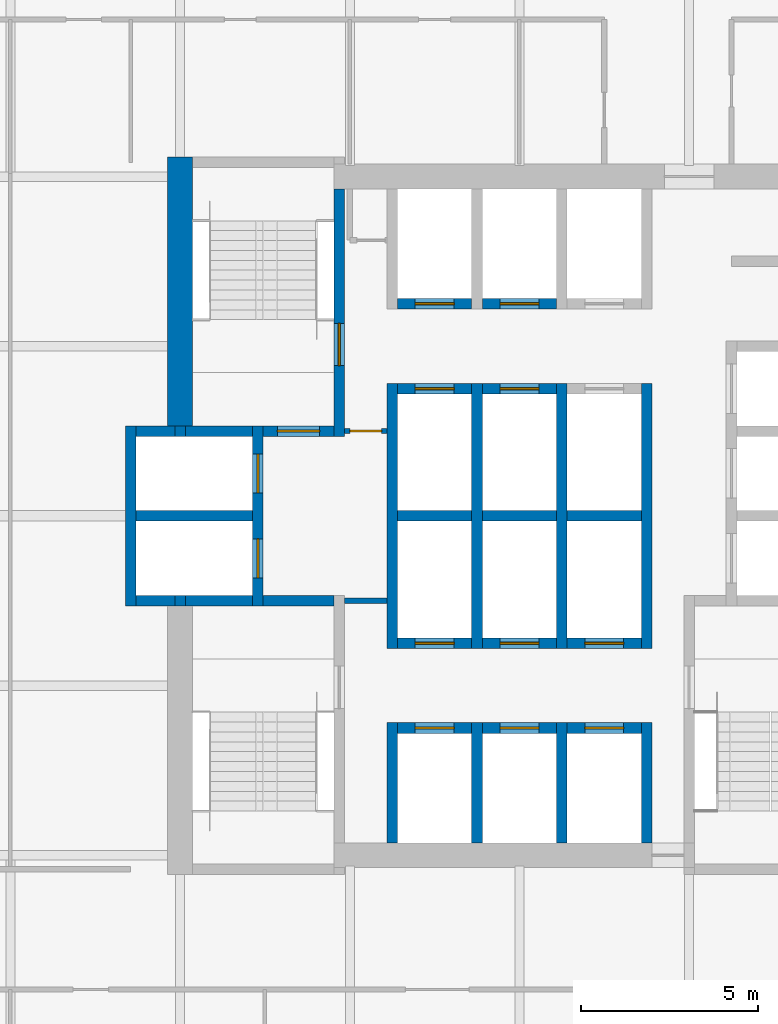
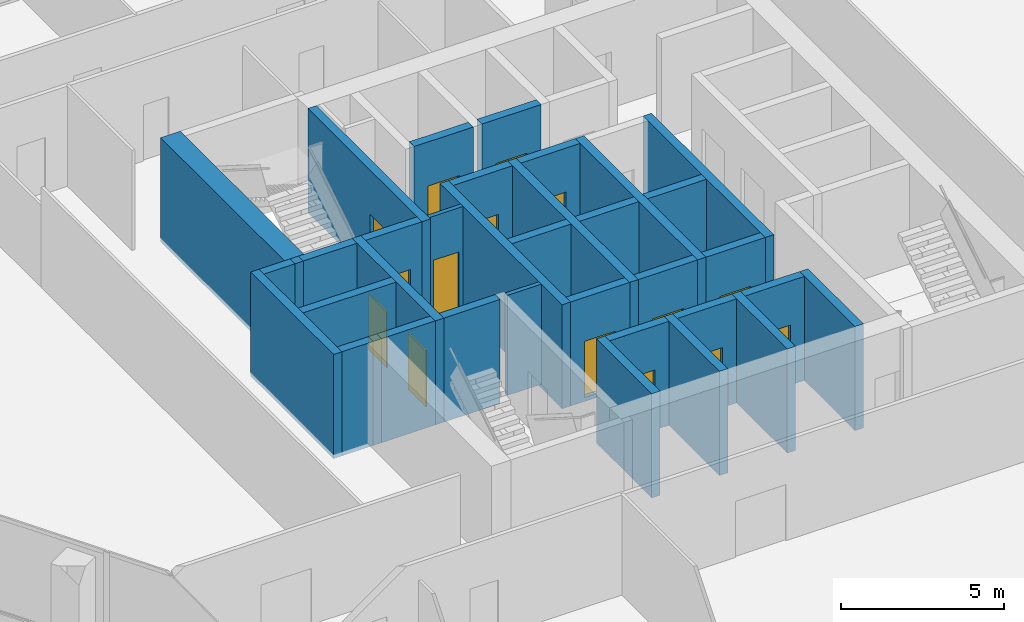
# One storey, part 10 of 16: 36 walls, 15 doors, 15 openings.
"""IFC4 building model written with IfcOpenShell, lengths in metres."""

from ifc_helpers import new_model, si_unit, direction, frame, frame_2d, origin, place, context, subcontext, project, spatial, rectangle, extrude, material, layer, layer_set, type_object, element, fill, save


model = new_model("IFC4")

# Units and contexts
model_context = context("Model", 3, precision=1e-05, world=origin(), true_north=direction((0.0, 1.0)))
body_context = subcontext(model_context, "Body", "Model", "MODEL_VIEW")
ifc_project = project(units=[si_unit("LENGTHUNIT", "METRE"), si_unit("AREAUNIT", "SQUARE_METRE"), si_unit("VOLUMEUNIT", "CUBIC_METRE"), si_unit("PLANEANGLEUNIT", "RADIAN"), si_unit("MASSUNIT", "GRAM", prefix="KILO")], contexts=[model_context])

# Site, building, storey
site_placement = place(None, origin())
site = spatial("IfcSite", under=ifc_project, at=site_placement, CompositionType="ELEMENT")
building_placement = place(site_placement, origin())
building = spatial("IfcBuilding", under=site, at=building_placement, Name="Kolab Exchange Tower", CompositionType="ELEMENT")
storey_placement = place(building_placement, frame((0.0, 0.0, 162.199951171875)))
storey = spatial("IfcBuildingStorey", under=building, at=storey_placement, Name="L33", CompositionType="ELEMENT", Elevation=162.199951171875)

# Wall
ifc_material_1 = material(Name="Concrete C60/75", Category="concrete")
ifc_layer_1 = layer(ifc_material_1, 0.699951171875)
ifc_layer_set_1 = layer_set([ifc_layer_1], Name="Concrete C60/75")
wall_type_1 = type_object("IfcWallType", Name="CORE WALL 700 C60/75", PredefinedType="SHEAR", material=ifc_layer_set_1)
wall_1_placement = place(storey_placement, frame((-9.60009765625, 2.550048828125, -0.14990234375), z_axis=(0.0, 0.0, 1.0), x_axis=(0.0, 1.0, 0.0)))
element("IfcWall", 1, at=wall_1_placement, inside=storey, type_object=wall_type_1, Name="wall/L33/core/037", PredefinedType="SHEAR", context=body_context, shape_type="SweptSolid", body=[
    extrude(rectangle(XDim=7.599853515625, YDim=0.699951171875, at=frame_2d((3.7998046875, 0.0))), origin(), (0.0, 0.0, 1.0), 3.89990234375),
])

# Wall, opening, door
ifc_material_2 = material(Name="Concrete C50/60", Category="concrete")
ifc_layer_2 = layer(ifc_material_2, 0.300048828125)
ifc_layer_set_2 = layer_set([ifc_layer_2], Name="Concrete C50/60")
wall_type_2 = type_object("IfcWallType", Name="LIFT SHAFT WALL 300 C50/60", PredefinedType="STANDARD", material=ifc_layer_set_2)
wall_2_placement = place(storey_placement, frame((-3.449951171875, -6.0, -0.14990234375), z_axis=(0.0, 0.0, 1.0), x_axis=(1.0, 0.0, 0.0)))
wall_2 = element("IfcWall", 2, at=wall_2_placement, inside=storey, type_object=wall_type_2, Name="wall/L33/core/003", PredefinedType="STANDARD", context=body_context, shape_type="SweptSolid", body=[
    extrude(rectangle(XDim=2.099853515625, YDim=0.300048828125, at=frame_2d((1.0498046875, 0.0))), origin(), (0.0, 0.0, 1.0), 3.89990234375),
])
opening_1_placement = place(wall_2_placement, frame((0.5, 0.0, 0.14990234375)))
opening_1 = element("IfcOpeningElement", 3, at=opening_1_placement, cuts=wall_2, Name="Opening LD1-110", PredefinedType="OPENING", context=body_context, shape_type="SweptSolid", body=[
    extrude(rectangle(XDim=1.10009765625, YDim=2.10009765625, at=frame_2d((0.550048828125, 1.050048828125))), frame((0.0, 0.16015625, 0.0), z_axis=(0.0, -1.0, 0.0), x_axis=(1.0, 0.0, 0.0)), (0.0, 0.0, 1.0), 0.320068359375),
])
ifc_material_3 = material(Name="Stainless steel 316", Category="steel")
door_type_1 = type_object("IfcDoorType", Name="LANDING DOOR 1100 PASSENGER", OperationType="DOUBLE_DOOR_SLIDING", PredefinedType="DOOR", material=ifc_material_3)
door_1_placement = place(opening_1_placement, origin())
door_1 = element("IfcDoor", 4, at=door_1_placement, inside=storey, type_object=door_type_1, Name="Landing door HR10", OperationType="DOUBLE_DOOR_SLIDING", OverallHeight=2.10009765625, OverallWidth=1.10009765625, PredefinedType="DOOR", context=body_context, shape_type="SweptSolid", body=[
    extrude(rectangle(XDim=1.10009765625, YDim=2.10009765625, at=frame_2d((0.550048828125, 1.050048828125))), frame((0.0, 0.02490234375, 0.0), z_axis=(0.0, -1.0, 0.0), x_axis=(1.0, 0.0, 0.0)), (0.0, 0.0, 1.0), 0.050048828125),
])
fill(opening_1, door_1)

wall_3_placement = place(storey_placement, frame((-1.050048828125, -6.0, -0.14990234375), z_axis=(0.0, 0.0, 1.0), x_axis=(1.0, 0.0, 0.0)))
wall_3 = element("IfcWall", 5, at=wall_3_placement, inside=storey, type_object=wall_type_2, Name="wall/L33/core/004", PredefinedType="STANDARD", context=body_context, shape_type="SweptSolid", body=[
    extrude(rectangle(XDim=2.10009765625, YDim=0.300048828125, at=frame_2d((1.050048828125, 0.0))), origin(), (0.0, 0.0, 1.0), 3.89990234375),
])
opening_2_placement = place(wall_3_placement, frame((0.5, 0.0, 0.14990234375)))
opening_2 = element("IfcOpeningElement", 6, at=opening_2_placement, cuts=wall_3, Name="Opening LD1-111", PredefinedType="OPENING", context=body_context, shape_type="SweptSolid", body=[
    extrude(rectangle(XDim=1.10009765625, YDim=2.10009765625, at=frame_2d((0.550048828125, 1.050048828125))), frame((0.0, 0.16015625, 0.0), z_axis=(0.0, -1.0, 0.0), x_axis=(1.0, 0.0, 0.0)), (0.0, 0.0, 1.0), 0.320068359375),
])
door_2_placement = place(opening_2_placement, origin())
door_2 = element("IfcDoor", 7, at=door_2_placement, inside=storey, type_object=door_type_1, Name="Landing door HR11", OperationType="DOUBLE_DOOR_SLIDING", OverallHeight=2.10009765625, OverallWidth=1.10009765625, PredefinedType="DOOR", context=body_context, shape_type="SweptSolid", body=[
    extrude(rectangle(XDim=1.10009765625, YDim=2.10009765625, at=frame_2d((0.550048828125, 1.050048828125))), frame((0.0, 0.02490234375, 0.0), z_axis=(0.0, -1.0, 0.0), x_axis=(1.0, 0.0, 0.0)), (0.0, 0.0, 1.0), 0.050048828125),
])
fill(opening_2, door_2)

wall_4_placement = place(storey_placement, frame((1.35009765625, -6.0, -0.14990234375), z_axis=(0.0, 0.0, 1.0), x_axis=(1.0, 0.0, 0.0)))
wall_4 = element("IfcWall", 8, at=wall_4_placement, inside=storey, type_object=wall_type_2, Name="wall/L33/core/005", PredefinedType="STANDARD", context=body_context, shape_type="SweptSolid", body=[
    extrude(rectangle(XDim=2.099853515625, YDim=0.300048828125, at=frame_2d((1.0498046875, 0.0))), origin(), (0.0, 0.0, 1.0), 3.89990234375),
])
opening_3_placement = place(wall_4_placement, frame((0.5, 0.0, 0.14990234375)))
opening_3 = element("IfcOpeningElement", 9, at=opening_3_placement, cuts=wall_4, Name="Opening LD1-112", PredefinedType="OPENING", context=body_context, shape_type="SweptSolid", body=[
    extrude(rectangle(XDim=1.10009765625, YDim=2.10009765625, at=frame_2d((0.550048828125, 1.050048828125))), frame((0.0, 0.16015625, 0.0), z_axis=(0.0, -1.0, 0.0), x_axis=(1.0, 0.0, 0.0)), (0.0, 0.0, 1.0), 0.320068359375),
])
door_3_placement = place(opening_3_placement, origin())
door_3 = element("IfcDoor", 10, at=door_3_placement, inside=storey, type_object=door_type_1, Name="Landing door HR12", OperationType="DOUBLE_DOOR_SLIDING", OverallHeight=2.10009765625, OverallWidth=1.10009765625, PredefinedType="DOOR", context=body_context, shape_type="SweptSolid", body=[
    extrude(rectangle(XDim=1.10009765625, YDim=2.10009765625, at=frame_2d((0.550048828125, 1.050048828125))), frame((0.0, 0.02490234375, 0.0), z_axis=(0.0, -1.0, 0.0), x_axis=(1.0, 0.0, 0.0)), (0.0, 0.0, 1.0), 0.050048828125),
])
fill(opening_3, door_3)

wall_5_placement = place(storey_placement, frame((-3.449951171875, -3.60009765625, -0.14990234375), z_axis=(0.0, 0.0, 1.0), x_axis=(1.0, 0.0, 0.0)))
wall_5 = element("IfcWall", 11, at=wall_5_placement, inside=storey, type_object=wall_type_2, Name="wall/L33/core/006", PredefinedType="STANDARD", context=body_context, shape_type="SweptSolid", body=[
    extrude(rectangle(XDim=2.099853515625, YDim=0.300048828125, at=frame_2d((1.0498046875, 0.0))), origin(), (0.0, 0.0, 1.0), 3.89990234375),
])
opening_4_placement = place(wall_5_placement, frame((0.5, 0.0, 0.14990234375)))
opening_4 = element("IfcOpeningElement", 12, at=opening_4_placement, cuts=wall_5, Name="Opening LD1-118", PredefinedType="OPENING", context=body_context, shape_type="SweptSolid", body=[
    extrude(rectangle(XDim=1.10009765625, YDim=2.10009765625, at=frame_2d((0.550048828125, 1.050048828125))), frame((0.0, 0.16015625, 0.0), z_axis=(0.0, -1.0, 0.0), x_axis=(1.0, 0.0, 0.0)), (0.0, 0.0, 1.0), 0.320068359375),
])
door_4_placement = place(opening_4_placement, origin())
door_4 = element("IfcDoor", 13, at=door_4_placement, inside=storey, type_object=door_type_1, Name="Landing door HR7", OperationType="DOUBLE_DOOR_SLIDING", OverallHeight=2.10009765625, OverallWidth=1.10009765625, PredefinedType="DOOR", context=body_context, shape_type="SweptSolid", body=[
    extrude(rectangle(XDim=1.10009765625, YDim=2.10009765625, at=frame_2d((0.550048828125, 1.050048828125))), frame((0.0, 0.02490234375, 0.0), z_axis=(0.0, -1.0, 0.0), x_axis=(1.0, 0.0, 0.0)), (0.0, 0.0, 1.0), 0.050048828125),
])
fill(opening_4, door_4)

wall_6_placement = place(storey_placement, frame((-1.050048828125, -3.60009765625, -0.14990234375), z_axis=(0.0, 0.0, 1.0), x_axis=(1.0, 0.0, 0.0)))
wall_6 = element("IfcWall", 14, at=wall_6_placement, inside=storey, type_object=wall_type_2, Name="wall/L33/core/007", PredefinedType="STANDARD", context=body_context, shape_type="SweptSolid", body=[
    extrude(rectangle(XDim=2.10009765625, YDim=0.300048828125, at=frame_2d((1.050048828125, 0.0))), origin(), (0.0, 0.0, 1.0), 3.89990234375),
])
opening_5_placement = place(wall_6_placement, frame((0.5, 0.0, 0.14990234375)))
opening_5 = element("IfcOpeningElement", 15, at=opening_5_placement, cuts=wall_6, Name="Opening LD1-119", PredefinedType="OPENING", context=body_context, shape_type="SweptSolid", body=[
    extrude(rectangle(XDim=1.10009765625, YDim=2.10009765625, at=frame_2d((0.550048828125, 1.050048828125))), frame((0.0, 0.16015625, 0.0), z_axis=(0.0, -1.0, 0.0), x_axis=(1.0, 0.0, 0.0)), (0.0, 0.0, 1.0), 0.320068359375),
])
door_5_placement = place(opening_5_placement, origin())
door_5 = element("IfcDoor", 16, at=door_5_placement, inside=storey, type_object=door_type_1, Name="Landing door HR8", OperationType="DOUBLE_DOOR_SLIDING", OverallHeight=2.10009765625, OverallWidth=1.10009765625, PredefinedType="DOOR", context=body_context, shape_type="SweptSolid", body=[
    extrude(rectangle(XDim=1.10009765625, YDim=2.10009765625, at=frame_2d((0.550048828125, 1.050048828125))), frame((0.0, 0.02490234375, 0.0), z_axis=(0.0, -1.0, 0.0), x_axis=(1.0, 0.0, 0.0)), (0.0, 0.0, 1.0), 0.050048828125),
])
fill(opening_5, door_5)

wall_7_placement = place(storey_placement, frame((1.35009765625, -3.60009765625, -0.14990234375), z_axis=(0.0, 0.0, 1.0), x_axis=(1.0, 0.0, 0.0)))
wall_7 = element("IfcWall", 17, at=wall_7_placement, inside=storey, type_object=wall_type_2, Name="wall/L33/core/008", PredefinedType="STANDARD", context=body_context, shape_type="SweptSolid", body=[
    extrude(rectangle(XDim=2.099853515625, YDim=0.300048828125, at=frame_2d((1.0498046875, 0.0))), origin(), (0.0, 0.0, 1.0), 3.89990234375),
])
opening_6_placement = place(wall_7_placement, frame((0.5, 0.0, 0.14990234375)))
opening_6 = element("IfcOpeningElement", 18, at=opening_6_placement, cuts=wall_7, Name="Opening LD1-120", PredefinedType="OPENING", context=body_context, shape_type="SweptSolid", body=[
    extrude(rectangle(XDim=1.10009765625, YDim=2.10009765625, at=frame_2d((0.550048828125, 1.050048828125))), frame((0.0, 0.16015625, 0.0), z_axis=(0.0, -1.0, 0.0), x_axis=(1.0, 0.0, 0.0)), (0.0, 0.0, 1.0), 0.320068359375),
])
door_6_placement = place(opening_6_placement, origin())
door_6 = element("IfcDoor", 19, at=door_6_placement, inside=storey, type_object=door_type_1, Name="Landing door HR9", OperationType="DOUBLE_DOOR_SLIDING", OverallHeight=2.10009765625, OverallWidth=1.10009765625, PredefinedType="DOOR", context=body_context, shape_type="SweptSolid", body=[
    extrude(rectangle(XDim=1.10009765625, YDim=2.10009765625, at=frame_2d((0.550048828125, 1.050048828125))), frame((0.0, 0.02490234375, 0.0), z_axis=(0.0, -1.0, 0.0), x_axis=(1.0, 0.0, 0.0)), (0.0, 0.0, 1.0), 0.050048828125),
])
fill(opening_6, door_6)

# Walls
wall_8_placement = place(storey_placement, frame((-10.85009765625, -2.39990234375, -0.14990234375), z_axis=(0.0, 0.0, 1.0), x_axis=(1.0, 0.0, 0.0)))
element("IfcWall", 20, at=wall_8_placement, inside=storey, type_object=wall_type_2, Name="wall/L33/core/009", PredefinedType="STANDARD", context=body_context, shape_type="SweptSolid", body=[
    extrude(rectangle(XDim=1.10009765625, YDim=0.300048828125, at=frame_2d((0.550048828125, 0.0))), origin(), (0.0, 0.0, 1.0), 3.89990234375),
])
wall_9_placement = place(storey_placement, frame((-10.85009765625, 0.0, -0.14990234375), z_axis=(0.0, 0.0, 1.0), x_axis=(1.0, 0.0, 0.0)))
element("IfcWall", 21, at=wall_9_placement, inside=storey, type_object=wall_type_2, Name="wall/L33/core/014", PredefinedType="STANDARD", context=body_context, shape_type="SweptSolid", body=[
    extrude(rectangle(XDim=3.300048828125, YDim=0.300048828125, at=frame_2d((1.64990234375, 0.0))), origin(), (0.0, 0.0, 1.0), 3.89990234375),
])
wall_10_placement = place(storey_placement, frame((-3.449951171875, 0.0, -0.14990234375), z_axis=(0.0, 0.0, 1.0), x_axis=(1.0, 0.0, 0.0)))
element("IfcWall", 22, at=wall_10_placement, inside=storey, type_object=wall_type_2, Name="wall/L33/core/015", PredefinedType="STANDARD", context=body_context, shape_type="SweptSolid", body=[
    extrude(rectangle(XDim=2.099853515625, YDim=0.300048828125, at=frame_2d((1.0498046875, 0.0))), origin(), (0.0, 0.0, 1.0), 3.89990234375),
])
wall_11_placement = place(storey_placement, frame((-1.050048828125, 0.0, -0.14990234375), z_axis=(0.0, 0.0, 1.0), x_axis=(1.0, 0.0, 0.0)))
element("IfcWall", 23, at=wall_11_placement, inside=storey, type_object=wall_type_2, Name="wall/L33/core/016", PredefinedType="STANDARD", context=body_context, shape_type="SweptSolid", body=[
    extrude(rectangle(XDim=2.10009765625, YDim=0.300048828125, at=frame_2d((1.050048828125, 0.0))), origin(), (0.0, 0.0, 1.0), 3.89990234375),
])
wall_12_placement = place(storey_placement, frame((1.35009765625, 0.0, -0.14990234375), z_axis=(0.0, 0.0, 1.0), x_axis=(1.0, 0.0, 0.0)))
element("IfcWall", 24, at=wall_12_placement, inside=storey, type_object=wall_type_2, Name="wall/L33/core/017", PredefinedType="STANDARD", context=body_context, shape_type="SweptSolid", body=[
    extrude(rectangle(XDim=2.099853515625, YDim=0.300048828125, at=frame_2d((1.0498046875, 0.0))), origin(), (0.0, 0.0, 1.0), 3.89990234375),
])
wall_13_placement = place(storey_placement, frame((-10.85009765625, 2.39990234375, -0.14990234375), z_axis=(0.0, 0.0, 1.0), x_axis=(1.0, 0.0, 0.0)))
element("IfcWall", 25, at=wall_13_placement, inside=storey, type_object=wall_type_2, Name="wall/L33/core/019", PredefinedType="STANDARD", context=body_context, shape_type="SweptSolid", body=[
    extrude(rectangle(XDim=1.10009765625, YDim=0.300048828125, at=frame_2d((0.550048828125, 0.0))), origin(), (0.0, 0.0, 1.0), 3.89990234375),
])

# Wall, opening, door
wall_14_placement = place(storey_placement, frame((-3.449951171875, 3.60009765625, -0.14990234375), z_axis=(0.0, 0.0, 1.0), x_axis=(1.0, 0.0, 0.0)))
wall_14 = element("IfcWall", 26, at=wall_14_placement, inside=storey, type_object=wall_type_2, Name="wall/L33/core/023", PredefinedType="STANDARD", context=body_context, shape_type="SweptSolid", body=[
    extrude(rectangle(XDim=2.099853515625, YDim=0.300048828125, at=frame_2d((1.0498046875, 0.0))), origin(), (0.0, 0.0, 1.0), 3.89990234375),
])
opening_7_placement = place(wall_14_placement, frame((0.5, 0.0, 0.14990234375)))
opening_7 = element("IfcOpeningElement", 27, at=opening_7_placement, cuts=wall_14, Name="Opening LD1-115", PredefinedType="OPENING", context=body_context, shape_type="SweptSolid", body=[
    extrude(rectangle(XDim=1.10009765625, YDim=2.10009765625, at=frame_2d((0.550048828125, 1.050048828125))), frame((0.0, 0.16015625, 0.0), z_axis=(0.0, -1.0, 0.0), x_axis=(1.0, 0.0, 0.0)), (0.0, 0.0, 1.0), 0.320068359375),
])
door_7_placement = place(opening_7_placement, origin())
door_7 = element("IfcDoor", 28, at=door_7_placement, inside=storey, type_object=door_type_1, Name="Landing door HR4", OperationType="DOUBLE_DOOR_SLIDING", OverallHeight=2.10009765625, OverallWidth=1.10009765625, PredefinedType="DOOR", context=body_context, shape_type="SweptSolid", body=[
    extrude(rectangle(XDim=1.10009765625, YDim=2.10009765625, at=frame_2d((0.550048828125, 1.050048828125))), frame((0.0, 0.02490234375, 0.0), z_axis=(0.0, -1.0, 0.0), x_axis=(1.0, 0.0, 0.0)), (0.0, 0.0, 1.0), 0.050048828125),
])
fill(opening_7, door_7)

wall_15_placement = place(storey_placement, frame((-1.050048828125, 3.60009765625, -0.14990234375), z_axis=(0.0, 0.0, 1.0), x_axis=(1.0, 0.0, 0.0)))
wall_15 = element("IfcWall", 29, at=wall_15_placement, inside=storey, type_object=wall_type_2, Name="wall/L33/core/024", PredefinedType="STANDARD", context=body_context, shape_type="SweptSolid", body=[
    extrude(rectangle(XDim=2.10009765625, YDim=0.300048828125, at=frame_2d((1.050048828125, 0.0))), origin(), (0.0, 0.0, 1.0), 3.89990234375),
])
opening_8_placement = place(wall_15_placement, frame((0.5, 0.0, 0.14990234375)))
opening_8 = element("IfcOpeningElement", 30, at=opening_8_placement, cuts=wall_15, Name="Opening LD1-116", PredefinedType="OPENING", context=body_context, shape_type="SweptSolid", body=[
    extrude(rectangle(XDim=1.10009765625, YDim=2.10009765625, at=frame_2d((0.550048828125, 1.050048828125))), frame((0.0, 0.16015625, 0.0), z_axis=(0.0, -1.0, 0.0), x_axis=(1.0, 0.0, 0.0)), (0.0, 0.0, 1.0), 0.320068359375),
])
door_8_placement = place(opening_8_placement, origin())
door_8 = element("IfcDoor", 31, at=door_8_placement, inside=storey, type_object=door_type_1, Name="Landing door HR5", OperationType="DOUBLE_DOOR_SLIDING", OverallHeight=2.10009765625, OverallWidth=1.10009765625, PredefinedType="DOOR", context=body_context, shape_type="SweptSolid", body=[
    extrude(rectangle(XDim=1.10009765625, YDim=2.10009765625, at=frame_2d((0.550048828125, 1.050048828125))), frame((0.0, 0.02490234375, 0.0), z_axis=(0.0, -1.0, 0.0), x_axis=(1.0, 0.0, 0.0)), (0.0, 0.0, 1.0), 0.050048828125),
])
fill(opening_8, door_8)

wall_16_placement = place(storey_placement, frame((-3.449951171875, 6.0, -0.14990234375), z_axis=(0.0, 0.0, 1.0), x_axis=(1.0, 0.0, 0.0)))
wall_16 = element("IfcWall", 32, at=wall_16_placement, inside=storey, type_object=wall_type_2, Name="wall/L33/core/027", PredefinedType="STANDARD", context=body_context, shape_type="SweptSolid", body=[
    extrude(rectangle(XDim=2.099853515625, YDim=0.300048828125, at=frame_2d((1.0498046875, 0.0))), origin(), (0.0, 0.0, 1.0), 3.89990234375),
])
opening_9_placement = place(wall_16_placement, frame((0.5, 0.0, 0.14990234375)))
opening_9 = element("IfcOpeningElement", 33, at=opening_9_placement, cuts=wall_16, Name="Opening LD1-109", PredefinedType="OPENING", context=body_context, shape_type="SweptSolid", body=[
    extrude(rectangle(XDim=1.10009765625, YDim=2.10009765625, at=frame_2d((0.550048828125, 1.050048828125))), frame((0.0, 0.16015625, 0.0), z_axis=(0.0, -1.0, 0.0), x_axis=(1.0, 0.0, 0.0)), (0.0, 0.0, 1.0), 0.320068359375),
])
door_9_placement = place(opening_9_placement, origin())
door_9 = element("IfcDoor", 34, at=door_9_placement, inside=storey, type_object=door_type_1, Name="Landing door HR1", OperationType="DOUBLE_DOOR_SLIDING", OverallHeight=2.10009765625, OverallWidth=1.10009765625, PredefinedType="DOOR", context=body_context, shape_type="SweptSolid", body=[
    extrude(rectangle(XDim=1.10009765625, YDim=2.10009765625, at=frame_2d((0.550048828125, 1.050048828125))), frame((0.0, 0.02490234375, 0.0), z_axis=(0.0, -1.0, 0.0), x_axis=(1.0, 0.0, 0.0)), (0.0, 0.0, 1.0), 0.050048828125),
])
fill(opening_9, door_9)

wall_17_placement = place(storey_placement, frame((-1.050048828125, 6.0, -0.14990234375), z_axis=(0.0, 0.0, 1.0), x_axis=(1.0, 0.0, 0.0)))
wall_17 = element("IfcWall", 35, at=wall_17_placement, inside=storey, type_object=wall_type_2, Name="wall/L33/core/028", PredefinedType="STANDARD", context=body_context, shape_type="SweptSolid", body=[
    extrude(rectangle(XDim=2.10009765625, YDim=0.300048828125, at=frame_2d((1.050048828125, 0.0))), origin(), (0.0, 0.0, 1.0), 3.89990234375),
])
opening_10_placement = place(wall_17_placement, frame((0.5, 0.0, 0.14990234375)))
opening_10 = element("IfcOpeningElement", 36, at=opening_10_placement, cuts=wall_17, Name="Opening LD1-113", PredefinedType="OPENING", context=body_context, shape_type="SweptSolid", body=[
    extrude(rectangle(XDim=1.10009765625, YDim=2.10009765625, at=frame_2d((0.550048828125, 1.050048828125))), frame((0.0, 0.16015625, 0.0), z_axis=(0.0, -1.0, 0.0), x_axis=(1.0, 0.0, 0.0)), (0.0, 0.0, 1.0), 0.320068359375),
])
door_10_placement = place(opening_10_placement, origin())
door_10 = element("IfcDoor", 37, at=door_10_placement, inside=storey, type_object=door_type_1, Name="Landing door HR2", OperationType="DOUBLE_DOOR_SLIDING", OverallHeight=2.10009765625, OverallWidth=1.10009765625, PredefinedType="DOOR", context=body_context, shape_type="SweptSolid", body=[
    extrude(rectangle(XDim=1.10009765625, YDim=2.10009765625, at=frame_2d((0.550048828125, 1.050048828125))), frame((0.0, 0.02490234375, 0.0), z_axis=(0.0, -1.0, 0.0), x_axis=(1.0, 0.0, 0.0)), (0.0, 0.0, 1.0), 0.050048828125),
])
fill(opening_10, door_10)

# Wall
wall_18_placement = place(storey_placement, frame((-11.0, -2.550048828125, -0.14990234375), z_axis=(0.0, 0.0, 1.0), x_axis=(0.0, 1.0, 0.0)))
element("IfcWall", 38, at=wall_18_placement, inside=storey, type_object=wall_type_2, Name="wall/L33/core/033", PredefinedType="STANDARD", context=body_context, shape_type="SweptSolid", body=[
    extrude(rectangle(XDim=5.10009765625, YDim=0.300048828125, at=frame_2d((2.550048828125, 0.0))), origin(), (0.0, 0.0, 1.0), 3.89990234375),
])

# Wall, openings, doors
wall_19_placement = place(storey_placement, frame((-7.39990234375, -2.550048828125, -0.14990234375), z_axis=(0.0, 0.0, 1.0), x_axis=(0.0, 1.0, 0.0)))
wall_19 = element("IfcWall", 39, at=wall_19_placement, inside=storey, type_object=wall_type_2, Name="wall/L33/core/038", PredefinedType="STANDARD", context=body_context, shape_type="SweptSolid", body=[
    extrude(rectangle(XDim=5.10009765625, YDim=0.300048828125, at=frame_2d((2.550048828125, 0.0))), origin(), (0.0, 0.0, 1.0), 3.89990234375),
])
opening_11_placement = place(wall_19_placement, frame((0.800048828125, 0.0, 0.14990234375)))
opening_11 = element("IfcOpeningElement", 40, at=opening_11_placement, cuts=wall_19, Name="Opening LD2-025", PredefinedType="OPENING", context=body_context, shape_type="SweptSolid", body=[
    extrude(rectangle(XDim=1.10009765625, YDim=2.10009765625, at=frame_2d((0.550048828125, 1.050048828125))), frame((0.0, 0.16015625, 0.0), z_axis=(0.0, -1.0, 0.0), x_axis=(1.0, 0.0, 0.0)), (0.0, 0.0, 1.0), 0.320068359375),
])
opening_12_placement = place(wall_19_placement, frame((3.199951171875, 0.0, 0.14990234375)))
opening_12 = element("IfcOpeningElement", 41, at=opening_12_placement, cuts=wall_19, Name="Opening LD2-026", PredefinedType="OPENING", context=body_context, shape_type="SweptSolid", body=[
    extrude(rectangle(XDim=1.10009765625, YDim=2.10009765625, at=frame_2d((0.550048828125, 1.050048828125))), frame((0.0, 0.16015625, 0.0), z_axis=(0.0, -1.0, 0.0), x_axis=(1.0, 0.0, 0.0)), (0.0, 0.0, 1.0), 0.320068359375),
])
door_type_2 = type_object("IfcDoorType", Name="LANDING DOOR 1100 FIREFIGHTING", OperationType="DOUBLE_DOOR_SLIDING", PredefinedType="DOOR", material=ifc_material_3)
door_11_placement = place(opening_11_placement, origin())
door_11 = element("IfcDoor", 42, at=door_11_placement, inside=storey, type_object=door_type_2, Name="Landing door FF1", OperationType="DOUBLE_DOOR_SLIDING", OverallHeight=2.10009765625, OverallWidth=1.10009765625, PredefinedType="DOOR", context=body_context, shape_type="SweptSolid", body=[
    extrude(rectangle(XDim=1.10009765625, YDim=2.10009765625, at=frame_2d((0.550048828125, 1.050048828125))), frame((0.0, 0.02490234375, 0.0), z_axis=(0.0, -1.0, 0.0), x_axis=(1.0, 0.0, 0.0)), (0.0, 0.0, 1.0), 0.050048828125),
])
fill(opening_11, door_11)
door_12_placement = place(opening_12_placement, origin())
door_12 = element("IfcDoor", 43, at=door_12_placement, inside=storey, type_object=door_type_2, Name="Landing door FF2", OperationType="DOUBLE_DOOR_SLIDING", OverallHeight=2.10009765625, OverallWidth=1.10009765625, PredefinedType="DOOR", context=body_context, shape_type="SweptSolid", body=[
    extrude(rectangle(XDim=1.10009765625, YDim=2.10009765625, at=frame_2d((0.550048828125, 1.050048828125))), frame((0.0, 0.02490234375, 0.0), z_axis=(0.0, -1.0, 0.0), x_axis=(1.0, 0.0, 0.0)), (0.0, 0.0, 1.0), 0.050048828125),
])
fill(opening_12, door_12)

# Walls
wall_20_placement = place(storey_placement, frame((-3.60009765625, -9.25, -0.14990234375), z_axis=(0.0, 0.0, 1.0), x_axis=(0.0, 1.0, 0.0)))
element("IfcWall", 44, at=wall_20_placement, inside=storey, type_object=wall_type_2, Name="wall/L33/core/043", PredefinedType="STANDARD", context=body_context, shape_type="SweptSolid", body=[
    extrude(rectangle(XDim=3.39990234375, YDim=0.300048828125, at=frame_2d((1.699951171875, 0.0))), origin(), (0.0, 0.0, 1.0), 3.89990234375),
])
wall_21_placement = place(storey_placement, frame((-3.60009765625, -3.75, -0.14990234375), z_axis=(0.0, 0.0, 1.0), x_axis=(0.0, 1.0, 0.0)))
element("IfcWall", 45, at=wall_21_placement, inside=storey, type_object=wall_type_2, Name="wall/L33/core/044", PredefinedType="STANDARD", context=body_context, shape_type="SweptSolid", body=[
    extrude(rectangle(XDim=7.5, YDim=0.300048828125, at=frame_2d((3.75, 0.0))), origin(), (0.0, 0.0, 1.0), 3.89990234375),
])
wall_22_placement = place(storey_placement, frame((-1.199951171875, -9.25, -0.14990234375), z_axis=(0.0, 0.0, 1.0), x_axis=(0.0, 1.0, 0.0)))
element("IfcWall", 46, at=wall_22_placement, inside=storey, type_object=wall_type_2, Name="wall/L33/core/046", PredefinedType="STANDARD", context=body_context, shape_type="SweptSolid", body=[
    extrude(rectangle(XDim=3.39990234375, YDim=0.300048828125, at=frame_2d((1.699951171875, 0.0))), origin(), (0.0, 0.0, 1.0), 3.89990234375),
])
wall_23_placement = place(storey_placement, frame((-1.199951171875, -3.75, -0.14990234375), z_axis=(0.0, 0.0, 1.0), x_axis=(0.0, 1.0, 0.0)))
element("IfcWall", 47, at=wall_23_placement, inside=storey, type_object=wall_type_2, Name="wall/L33/core/047", PredefinedType="STANDARD", context=body_context, shape_type="SweptSolid", body=[
    extrude(rectangle(XDim=7.5, YDim=0.300048828125, at=frame_2d((3.75, 0.0))), origin(), (0.0, 0.0, 1.0), 3.89990234375),
])
wall_24_placement = place(storey_placement, frame((1.199951171875, -9.25, -0.14990234375), z_axis=(0.0, 0.0, 1.0), x_axis=(0.0, 1.0, 0.0)))
element("IfcWall", 48, at=wall_24_placement, inside=storey, type_object=wall_type_2, Name="wall/L33/core/049", PredefinedType="STANDARD", context=body_context, shape_type="SweptSolid", body=[
    extrude(rectangle(XDim=3.39990234375, YDim=0.300048828125, at=frame_2d((1.699951171875, 0.0))), origin(), (0.0, 0.0, 1.0), 3.89990234375),
])
wall_25_placement = place(storey_placement, frame((1.199951171875, -3.75, -0.14990234375), z_axis=(0.0, 0.0, 1.0), x_axis=(0.0, 1.0, 0.0)))
element("IfcWall", 49, at=wall_25_placement, inside=storey, type_object=wall_type_2, Name="wall/L33/core/050", PredefinedType="STANDARD", context=body_context, shape_type="SweptSolid", body=[
    extrude(rectangle(XDim=7.5, YDim=0.300048828125, at=frame_2d((3.75, 0.0))), origin(), (0.0, 0.0, 1.0), 3.89990234375),
])
wall_26_placement = place(storey_placement, frame((3.60009765625, -9.25, -0.14990234375), z_axis=(0.0, 0.0, 1.0), x_axis=(0.0, 1.0, 0.0)))
element("IfcWall", 50, at=wall_26_placement, inside=storey, type_object=wall_type_2, Name="wall/L33/core/052", PredefinedType="STANDARD", context=body_context, shape_type="SweptSolid", body=[
    extrude(rectangle(XDim=3.39990234375, YDim=0.300048828125, at=frame_2d((1.699951171875, 0.0))), origin(), (0.0, 0.0, 1.0), 3.89990234375),
])
wall_27_placement = place(storey_placement, frame((3.60009765625, -3.75, -0.14990234375), z_axis=(0.0, 0.0, 1.0), x_axis=(0.0, 1.0, 0.0)))
element("IfcWall", 51, at=wall_27_placement, inside=storey, type_object=wall_type_2, Name="wall/L33/core/053", PredefinedType="STANDARD", context=body_context, shape_type="SweptSolid", body=[
    extrude(rectangle(XDim=7.5, YDim=0.300048828125, at=frame_2d((3.75, 0.0))), origin(), (0.0, 0.0, 1.0), 3.89990234375),
])

# Wall, opening, door
ifc_material_4 = material(Name="Gypsum board", Category="gypsum")
ifc_layer_3 = layer(ifc_material_4, 0.14990234375)
ifc_layer_set_3 = layer_set([ifc_layer_3], Name="Gypsum board")
wall_type_3 = type_object("IfcWallType", Name="PARTITION 150 FIRE-RATED", PredefinedType="PARTITIONING", material=ifc_layer_set_3)
wall_28_placement = place(storey_placement, frame((-4.949951171875, 2.39990234375, 0.0), z_axis=(0.0, 0.0, 1.0), x_axis=(1.0, 0.0, 0.0)))
wall_28 = element("IfcWall", 52, at=wall_28_placement, inside=storey, type_object=wall_type_3, Name="Fire partition", PredefinedType="PARTITIONING", context=body_context, shape_type="SweptSolid", body=[
    extrude(rectangle(XDim=1.199951171875, YDim=0.14990234375, at=frame_2d((0.60009765625, 0.0))), origin(), (0.0, 0.0, 1.0), 3.75),
])
opening_13_placement = place(wall_28_placement, frame((0.14990234375, 0.0, 0.0)))
opening_13 = element("IfcOpeningElement", 53, at=opening_13_placement, cuts=wall_28, Name="Opening D6-288", PredefinedType="OPENING", context=body_context, shape_type="SweptSolid", body=[
    extrude(rectangle(XDim=0.89990234375, YDim=2.10009765625, at=frame_2d((0.449951171875, 1.050048828125))), frame((0.0, 0.0849609375, 0.0), z_axis=(0.0, -1.0, 0.0), x_axis=(1.0, 0.0, 0.0)), (0.0, 0.0, 1.0), 0.169921875),
])
ifc_material_5 = material(Name="Steel S235", Category="steel")
door_type_3 = type_object("IfcDoorType", Name="CORE DOOR 900 EI 120", OperationType="SINGLE_SWING_LEFT", PredefinedType="DOOR", material=ifc_material_5)
door_13_placement = place(opening_13_placement, frame((0.89990234375, 0.0, 0.0), z_axis=(0.0, 0.0, 1.0), x_axis=(-1.0, 0.0, 0.0)))
door_13 = element("IfcDoor", 54, at=door_13_placement, inside=storey, type_object=door_type_3, Name="Firefighting lobby door", OperationType="SINGLE_SWING_RIGHT", OverallHeight=2.10009765625, OverallWidth=0.89990234375, PredefinedType="DOOR", context=body_context, shape_type="SweptSolid", body=[
    extrude(rectangle(XDim=0.89990234375, YDim=2.10009765625, at=frame_2d((0.449951171875, 1.050048828125))), frame((0.0, 0.02490234375, 0.0), z_axis=(0.0, -1.0, 0.0), x_axis=(1.0, 0.0, 0.0)), (0.0, 0.0, 1.0), 0.050048828125),
])
fill(opening_13, door_13)

# Walls
wall_29_placement = place(storey_placement, frame((-4.949951171875, -2.39990234375, 0.0), z_axis=(0.0, 0.0, 1.0), x_axis=(1.0, 0.0, 0.0)))
element("IfcWall", 55, at=wall_29_placement, inside=storey, type_object=wall_type_3, Name="Fire partition", PredefinedType="PARTITIONING", context=body_context, shape_type="SweptSolid", body=[
    extrude(rectangle(XDim=1.199951171875, YDim=0.14990234375, at=frame_2d((0.60009765625, 0.0))), origin(), (0.0, 0.0, 1.0), 3.75),
])
ifc_layer_4 = layer(ifc_material_2, 0.300048828125)
ifc_layer_set_4 = layer_set([ifc_layer_4], Name="Concrete C50/60")
wall_type_4 = type_object("IfcWallType", Name="STAIR ENCLOSURE WALL 300 C50/60", PredefinedType="STANDARD", material=ifc_layer_set_4)
wall_30_placement = place(storey_placement, frame((-9.449951171875, -2.39990234375, -0.14990234375), z_axis=(0.0, 0.0, 1.0), x_axis=(1.0, 0.0, 0.0)))
element("IfcWall", 56, at=wall_30_placement, inside=storey, type_object=wall_type_4, Name="wall/L33/core/010", PredefinedType="STANDARD", context=body_context, shape_type="SweptSolid", body=[
    extrude(rectangle(XDim=1.89990234375, YDim=0.300048828125, at=frame_2d((0.949951171875, 0.0))), origin(), (0.0, 0.0, 1.0), 3.89990234375),
])
wall_31_placement = place(storey_placement, frame((-7.25, -2.39990234375, -0.14990234375), z_axis=(0.0, 0.0, 1.0), x_axis=(1.0, 0.0, 0.0)))
element("IfcWall", 57, at=wall_31_placement, inside=storey, type_object=wall_type_4, Name="wall/L33/core/011", PredefinedType="STANDARD", context=body_context, shape_type="SweptSolid", body=[
    extrude(rectangle(XDim=2.0, YDim=0.300048828125, at=frame_2d((1.0, 0.0))), origin(), (0.0, 0.0, 1.0), 3.89990234375),
])
wall_32_placement = place(storey_placement, frame((-9.449951171875, 2.39990234375, -0.14990234375), z_axis=(0.0, 0.0, 1.0), x_axis=(1.0, 0.0, 0.0)))
element("IfcWall", 58, at=wall_32_placement, inside=storey, type_object=wall_type_4, Name="wall/L33/core/020", PredefinedType="STANDARD", context=body_context, shape_type="SweptSolid", body=[
    extrude(rectangle(XDim=1.89990234375, YDim=0.300048828125, at=frame_2d((0.949951171875, 0.0))), origin(), (0.0, 0.0, 1.0), 3.89990234375),
])

# Wall, opening, door
wall_33_placement = place(storey_placement, frame((-7.25, 2.39990234375, -0.14990234375), z_axis=(0.0, 0.0, 1.0), x_axis=(1.0, 0.0, 0.0)))
wall_33 = element("IfcWall", 59, at=wall_33_placement, inside=storey, type_object=wall_type_4, Name="wall/L33/core/021", PredefinedType="STANDARD", context=body_context, shape_type="SweptSolid", body=[
    extrude(rectangle(XDim=2.0, YDim=0.300048828125, at=frame_2d((1.0, 0.0))), origin(), (0.0, 0.0, 1.0), 3.89990234375),
])
opening_14_placement = place(wall_33_placement, frame((0.39990234375, 0.0, 0.14990234375)))
opening_14 = element("IfcOpeningElement", 60, at=opening_14_placement, cuts=wall_33, Name="Opening D4-065", PredefinedType="OPENING", context=body_context, shape_type="SweptSolid", body=[
    extrude(rectangle(XDim=1.199951171875, YDim=2.10009765625, at=frame_2d((0.60009765625, 1.050048828125))), frame((0.0, 0.16015625, 0.0), z_axis=(0.0, -1.0, 0.0), x_axis=(1.0, 0.0, 0.0)), (0.0, 0.0, 1.0), 0.320068359375),
])
door_type_4 = type_object("IfcDoorType", Name="STAIR DOOR 1200 EI 120", OperationType="SINGLE_SWING_LEFT", PredefinedType="DOOR", material=ifc_material_5)
door_14_placement = place(opening_14_placement, origin())
door_14 = element("IfcDoor", 61, at=door_14_placement, inside=storey, type_object=door_type_4, Name="Stair 1 door", OperationType="SINGLE_SWING_RIGHT", OverallHeight=2.10009765625, OverallWidth=1.199951171875, PredefinedType="DOOR", context=body_context, shape_type="SweptSolid", body=[
    extrude(rectangle(XDim=1.199951171875, YDim=2.10009765625, at=frame_2d((0.60009765625, 1.050048828125))), frame((0.0, 0.02490234375, 0.0), z_axis=(0.0, -1.0, 0.0), x_axis=(1.0, 0.0, 0.0)), (0.0, 0.0, 1.0), 0.050048828125),
])
fill(opening_14, door_14)

# Walls
for number, where, z_axis, x_axis, name in (
    (62, (-9.60009765625, -2.550048828125, -0.14990234375), (0.0, 0.0, 1.0), (0.0, 1.0, 0.0), "wall/L33/core/035"),
    (63, (-9.60009765625, 2.25, -0.14990234375), (0.0, 0.0, 1.0), (0.0, 1.0, 0.0), "wall/L33/core/036"),
):
    element("IfcWall", number, at=place(storey_placement, frame(where, z_axis=z_axis, x_axis=x_axis)), inside=storey, type_object=wall_type_4, Name=name, PredefinedType="STANDARD", context=body_context, shape_type="SweptSolid", body=[
        extrude(rectangle(XDim=0.300048828125, YDim=0.300048828125, at=frame_2d((0.14990234375, 0.0))), origin(), (0.0, 0.0, 1.0), 3.89990234375),
    ])

# Wall, opening, door
wall_34_placement = place(storey_placement, frame((-5.10009765625, 2.25, -0.14990234375), z_axis=(0.0, 0.0, 1.0), x_axis=(0.0, 1.0, 0.0)))
wall_34 = element("IfcWall", 64, at=wall_34_placement, inside=storey, type_object=wall_type_4, Name="wall/L33/core/041", PredefinedType="STANDARD", context=body_context, shape_type="SweptSolid", body=[
    extrude(rectangle(XDim=7.0, YDim=0.300048828125, at=frame_2d((3.5, 0.0))), origin(), (0.0, 0.0, 1.0), 3.89990234375),
])
opening_15_placement = place(wall_34_placement, frame((2.0, 0.0, 0.14990234375)))
opening_15 = element("IfcOpeningElement", 65, at=opening_15_placement, cuts=wall_34, Name="Opening D4-066", PredefinedType="OPENING", context=body_context, shape_type="SweptSolid", body=[
    extrude(rectangle(XDim=1.199951171875, YDim=2.10009765625, at=frame_2d((0.60009765625, 1.050048828125))), frame((0.0, 0.16015625, 0.0), z_axis=(0.0, -1.0, 0.0), x_axis=(1.0, 0.0, 0.0)), (0.0, 0.0, 1.0), 0.320068359375),
])
door_15_placement = place(opening_15_placement, origin())
door_15 = element("IfcDoor", 66, at=door_15_placement, inside=storey, type_object=door_type_4, Name="Stair 1 door", OperationType="SINGLE_SWING_LEFT", OverallHeight=2.10009765625, OverallWidth=1.199951171875, PredefinedType="DOOR", context=body_context, shape_type="SweptSolid", body=[
    extrude(rectangle(XDim=1.199951171875, YDim=2.10009765625, at=frame_2d((0.60009765625, 1.050048828125))), frame((0.0, 0.02490234375, 0.0), z_axis=(0.0, -1.0, 0.0), x_axis=(1.0, 0.0, 0.0)), (0.0, 0.0, 1.0), 0.050048828125),
])
fill(opening_15, door_15)

save(model, "model.ifc")
